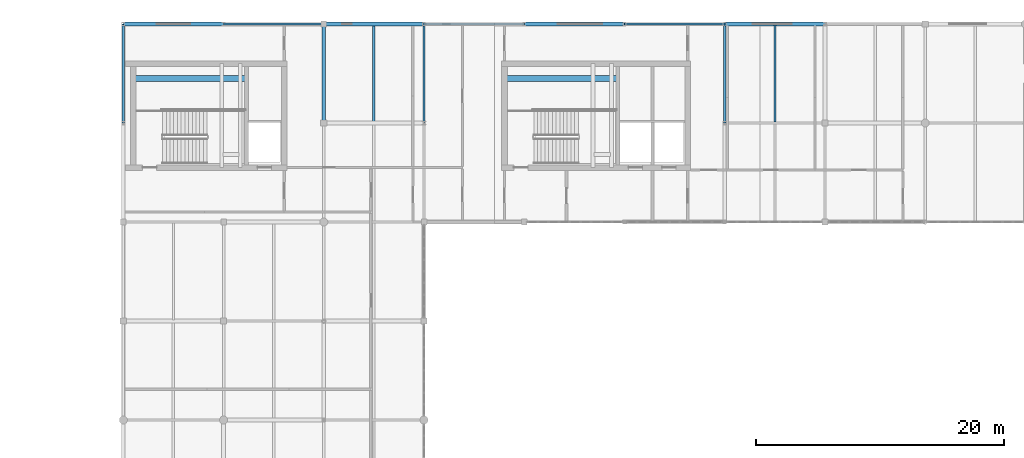
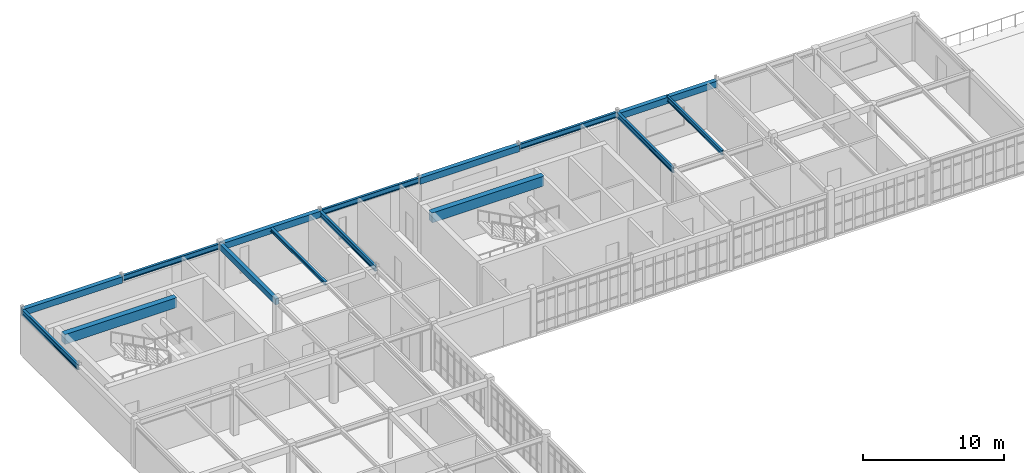
# One storey, part 12 of 36: 15 beams.
"""IFC4 building model written with IfcOpenShell, lengths in metres."""

from ifc_helpers import new_model, si_unit, direction, frame, origin, origin_2d, place, context, subcontext, project, spatial, rectangle, i_section, extrude, material, material_profile, profile_set, type_object, element, save


model = new_model("IFC4")

# Units and contexts
model_context = context("Model", 3, precision=1e-05, world=origin(), true_north=direction((0.0, 1.0)))
body_context = subcontext(model_context, "Body", "Model", "MODEL_VIEW")
ifc_project = project(units=[si_unit("LENGTHUNIT", "METRE"), si_unit("AREAUNIT", "SQUARE_METRE"), si_unit("VOLUMEUNIT", "CUBIC_METRE"), si_unit("PLANEANGLEUNIT", "RADIAN"), si_unit("MASSUNIT", "GRAM", prefix="KILO")], contexts=[model_context])

# Site, building, storey
site_placement = place(None, origin())
site = spatial("IfcSite", under=ifc_project, at=site_placement, CompositionType="ELEMENT")
building_placement = place(site_placement, origin())
building = spatial("IfcBuilding", under=site, at=building_placement, Name="Tarnveldt Square Police Headquarters", CompositionType="ELEMENT")
storey_placement = place(building_placement, frame((0.0, 0.0, 24.89990234375)))
storey = spatial("IfcBuildingStorey", under=building, at=storey_placement, Name="L05", CompositionType="ELEMENT", Elevation=24.89990234375)

# Beams
ifc_material_1 = material(Name="Concrete 50 MPa", Category="concrete")
ifc_material_profile_1 = material_profile(ifc_material_1, rectangle(XDim=0.449951171875, YDim=0.85009765625, at=origin_2d()), Name="RC-CB450x850")
ifc_profile_set_1 = profile_set([ifc_material_profile_1], Name="Concrete 50 MPa")
beam_type_1 = type_object("IfcBeamType", Name="BM-CB450x850", PredefinedType="BEAM", material=ifc_profile_set_1)
for number, where, z_axis, x_axis, name in (
    (1, (17.0, 107.60009765625, 3.775146484375), (1.0, 0.0, 0.0), (0.0, 1.0, 0.0), "Core K2 North-West Operations Core L05 Ductile Coupling Beam"),
    (2, (47.0, 107.60009765625, 3.775146484375), (1.0, 0.0, 0.0), (0.0, 1.0, 0.0), "Core K3 North-Central Forensic and Firefighting Core L05 Ductile Coupling Beam"),
):
    element("IfcBeam", number, at=place(storey_placement, frame(where, z_axis=z_axis, x_axis=x_axis)), inside=storey, type_object=beam_type_1, Name=name, PredefinedType="BEAM", context=body_context, shape_type="SweptSolid", body=[
        extrude(rectangle(XDim=0.449951171875, YDim=0.85009765625, at=origin_2d()), origin(), (0.0, 0.0, 1.0), 9.14990234375),
    ])
ifc_material_2 = material(Name="Concrete 40 MPa", Category="concrete")
ifc_material_profile_2 = material_profile(ifc_material_2, rectangle(XDim=0.300048828125, YDim=0.5, at=origin_2d()), Name="RC-B300x500")
ifc_profile_set_2 = profile_set([ifc_material_profile_2], Name="Concrete 40 MPa")
beam_type_2 = type_object("IfcBeamType", Name="BM-RC300x500", PredefinedType="BEAM", material=ifc_profile_set_2)
beam_1_placement = place(storey_placement, frame((32.39990234375, 104.0, 3.710205078125), z_axis=(0.0, 1.0, 0.0), x_axis=(-1.0, 0.0, 0.0)))
element("IfcBeam", 3, at=beam_1_placement, inside=storey, type_object=beam_type_2, Name="L06 Grid Girder Y-1063", PredefinedType="BEAM", context=body_context, shape_type="SweptSolid", body=[
    extrude(rectangle(XDim=0.300048828125, YDim=0.5, at=origin_2d()), origin(), (0.0, 0.0, 1.0), 8.0),
])
ifc_material_profile_3 = material_profile(ifc_material_2, rectangle(XDim=0.35009765625, YDim=0.550048828125, at=origin_2d()), Name="RC-B350x550")
ifc_profile_set_3 = profile_set([ifc_material_profile_3], Name="Concrete 40 MPa")
beam_type_3 = type_object("IfcBeamType", Name="BM-RC350x550", PredefinedType="BEAM", material=ifc_profile_set_3)
for number, where, z_axis, x_axis, name in (
    (4, (16.199951171875, 112.0, 3.68505859375), (1.0, 0.0, 0.0), (0.0, 1.0, 0.0), "L06 Grid Girder X-1036"),
    (5, (32.39990234375, 112.0, 3.68505859375), (1.0, 0.0, 0.0), (0.0, 1.0, 0.0), "L06 Grid Girder X-1038"),
):
    element("IfcBeam", number, at=place(storey_placement, frame(where, z_axis=z_axis, x_axis=x_axis)), inside=storey, type_object=beam_type_3, Name=name, PredefinedType="BEAM", context=body_context, shape_type="SweptSolid", body=[
        extrude(rectangle(XDim=0.35009765625, YDim=0.550048828125, at=origin_2d()), origin(), (0.0, 0.0, 1.0), 8.10009765625),
    ])
for number, where, z_axis, x_axis, name in (
    (6, (48.60009765625, 112.0, 3.68505859375), (1.0, 0.0, 0.0), (0.0, 1.0, 0.0), "L06 Grid Girder X-1040"),
    (7, (64.800048828125, 112.0, 3.585205078125), (1.0, 0.0, 0.0), (0.0, 1.0, 0.0), "L06 Grid Girder X-1042"),
):
    element("IfcBeam", number, at=place(storey_placement, frame(where, z_axis=z_axis, x_axis=x_axis)), inside=storey, type_object=beam_type_3, Name=name, PredefinedType="BEAM", context=body_context, shape_type="SweptSolid", body=[
        extrude(rectangle(XDim=0.35009765625, YDim=0.550048828125, at=origin_2d()), origin(), (0.0, 0.0, 1.0), 8.099853515625),
    ])
ifc_material_3 = material(Name="Steel 350W", Category="steel")
ifc_material_profile_4 = material_profile(ifc_material_3, i_section(OverallWidth=0.202880859375, OverallDepth=0.302978515625, WebThickness=0.007568359375, FlangeThickness=0.01318359375, FilletRadius=0.014892578125, at=origin_2d()), Name="W310x60")
ifc_profile_set_4 = profile_set([ifc_material_profile_4], Name="Steel 350W")
beam_type_4 = type_object("IfcBeamType", Name="BM-W310x60", PredefinedType="JOIST", material=ifc_profile_set_4)
beam_2_placement = place(storey_placement, frame((36.449951171875, 104.080078125, 3.80859375), z_axis=(0.0, 1.0, 0.0), x_axis=(-1.0, 0.0, 0.0)))
element("IfcBeam", 8, at=beam_2_placement, inside=storey, type_object=beam_type_4, Name="L06 Secondary Floor Joist 0252", PredefinedType="JOIST", context=body_context, shape_type="SweptSolid", body=[
    extrude(i_section(OverallWidth=0.202880859375, OverallDepth=0.302978515625, WebThickness=0.007568359375, FlangeThickness=0.01318359375, FilletRadius=0.014892578125, at=origin_2d()), origin(), (0.0, 0.0, 1.0), 7.83984375),
])
ifc_material_profile_5 = material_profile(ifc_material_3, i_section(OverallWidth=0.177978515625, OverallDepth=0.406982421875, WebThickness=0.0078125, FlangeThickness=0.0126953125, FilletRadius=0.01611328125, at=origin_2d()), Name="W410x60")
ifc_profile_set_5 = profile_set([ifc_material_profile_5], Name="Steel 350W")
beam_type_5 = type_object("IfcBeamType", Name="BM-W410x60", PredefinedType="JOIST", material=ifc_profile_set_5)
beam_3_placement = place(storey_placement, frame((68.85009765625, 104.080078125, 3.756591796875), z_axis=(0.0, 1.0, 0.0), x_axis=(-1.0, 0.0, 0.0)))
element("IfcBeam", 9, at=beam_3_placement, inside=storey, type_object=beam_type_5, Name="L06 Secondary Floor Joist 0253", PredefinedType="JOIST", context=body_context, shape_type="SweptSolid", body=[
    extrude(i_section(OverallWidth=0.177978515625, OverallDepth=0.406982421875, WebThickness=0.0078125, FlangeThickness=0.0126953125, FilletRadius=0.01611328125, at=origin_2d()), origin(), (0.0, 0.0, 1.0), 7.83984375),
])
ifc_material_profile_6 = material_profile(ifc_material_3, i_section(OverallWidth=0.19189453125, OverallDepth=0.462890625, WebThickness=0.010498046875, FlangeThickness=0.017578125, FilletRadius=0.01806640625, at=origin_2d()), Name="W460x89")
ifc_profile_set_6 = profile_set([ifc_material_profile_6], Name="Steel 350W")
beam_type_6 = type_object("IfcBeamType", Name="BM-W460x89", PredefinedType="BEAM", material=ifc_profile_set_6)
beam_4_placement = place(storey_placement, frame((24.300048828125, 112.0, 3.728515625), z_axis=(1.0, 0.0, 0.0), x_axis=(0.0, 1.0, 0.0)))
element("IfcBeam", 10, at=beam_4_placement, inside=storey, type_object=beam_type_6, Name="L06 Grid Girder X-1037", PredefinedType="BEAM", context=body_context, shape_type="SweptSolid", body=[
    extrude(i_section(OverallWidth=0.19189453125, OverallDepth=0.462890625, WebThickness=0.010498046875, FlangeThickness=0.017578125, FilletRadius=0.01806640625, at=origin_2d()), origin(), (0.0, 0.0, 1.0), 8.099853515625),
])
for number, where, z_axis, x_axis, name in (
    (11, (40.5, 112.0, 3.728515625), (1.0, 0.0, 0.0), (0.0, 1.0, 0.0), "L06 Grid Girder X-1039"),
    (12, (56.699951171875, 112.0, 3.728515625), (1.0, 0.0, 0.0), (0.0, 1.0, 0.0), "L06 Grid Girder X-1041"),
):
    element("IfcBeam", number, at=place(storey_placement, frame(where, z_axis=z_axis, x_axis=x_axis)), inside=storey, type_object=beam_type_6, Name=name, PredefinedType="BEAM", context=body_context, shape_type="SweptSolid", body=[
        extrude(i_section(OverallWidth=0.19189453125, OverallDepth=0.462890625, WebThickness=0.010498046875, FlangeThickness=0.017578125, FilletRadius=0.01806640625, at=origin_2d()), origin(), (0.0, 0.0, 1.0), 8.10009765625),
    ])
for number, where, z_axis, x_axis, name in (
    (13, (16.199951171875, 104.0, 3.728515625), (0.0, 1.0, 0.0), (-1.0, 0.0, 0.0), "L06 Grid Girder Y-1052"),
    (14, (40.5, 104.0, 3.728515625), (0.0, 1.0, 0.0), (-1.0, 0.0, 0.0), "L06 Grid Girder Y-1071"),
    (15, (64.800048828125, 104.0, 3.728515625), (0.0, 1.0, 0.0), (-1.0, 0.0, 0.0), "L06 Grid Girder Y-1073"),
):
    element("IfcBeam", number, at=place(storey_placement, frame(where, z_axis=z_axis, x_axis=x_axis)), inside=storey, type_object=beam_type_6, Name=name, PredefinedType="BEAM", context=body_context, shape_type="SweptSolid", body=[
        extrude(i_section(OverallWidth=0.19189453125, OverallDepth=0.462890625, WebThickness=0.010498046875, FlangeThickness=0.017578125, FilletRadius=0.01806640625, at=origin_2d()), origin(), (0.0, 0.0, 1.0), 8.0),
    ])

save(model, "model.ifc")
